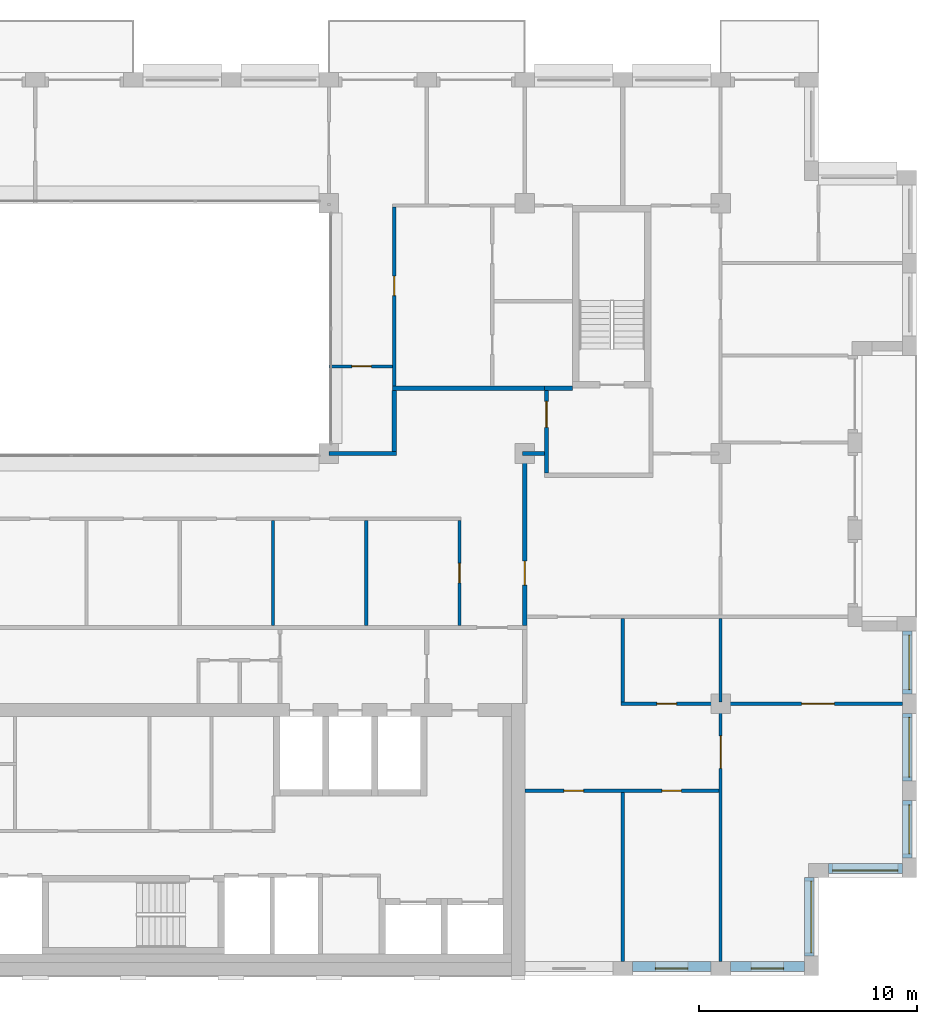
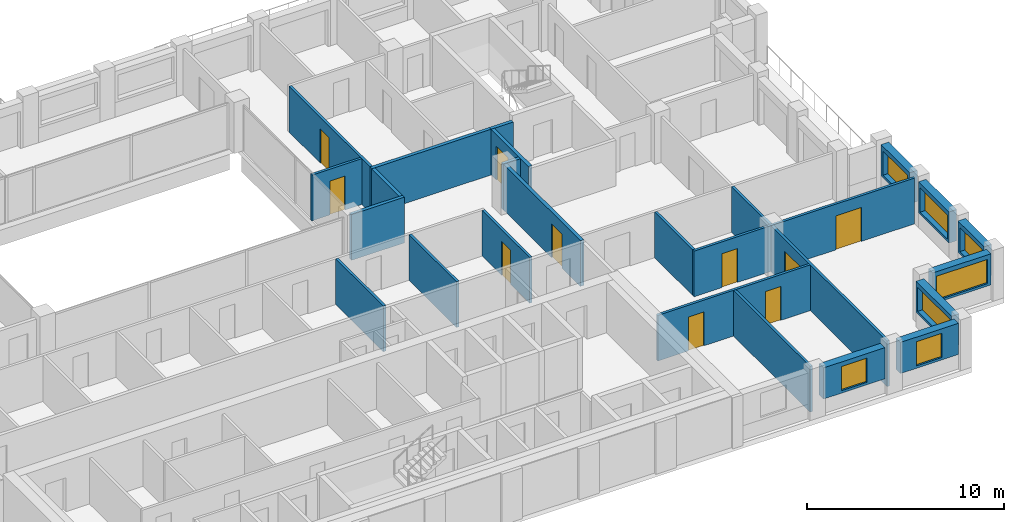
# One storey, part 11 of 15: 25 walls, 10 doors, 7 windows, 17 openings.
"""IFC4 building model written with IfcOpenShell, lengths in metres."""

import ifcopenshell
import ifcopenshell.guid

model = None  # the IFC model being written
_history = None  # IfcOwnerHistory: only IFC2X3 demands one
_inside = {}  # id of a spatial element -> (the spatial element, [elements in it])
_under = {}  # id of a project, library or spatial element -> (it, [spatial elements below it])
_declared = {}  # id of a project -> (the project, [libraries it declares])
_typed = {}  # id of a type object -> (the type object, [elements of that type])
_made_of = {}  # id of a material, layer set ... -> (it, [elements and type objects made of it])


def new_model(schema):
    """Start an empty IFC model of exactly this schema.

    Asked for "IFC4X3", IfcOpenShell would pick the latest addendum, in which some entities
    have other attributes; the version numbers below select the first issue.
    IFC2X3 requires an IfcOwnerHistory on every rooted entity: one is made here for all.
    """
    global model, _history
    if schema == "IFC4X3":
        model = ifcopenshell.file(schema_version=(4, 3, 0, 0))
    else:
        model = ifcopenshell.file(schema=schema)
    _inside.clear()
    _under.clear()
    _declared.clear()
    _typed.clear()
    _made_of.clear()
    _history = None
    if model.schema == "IFC2X3":
        org = make("IfcOrganization", Name="unknown")
        user = make(
            "IfcPersonAndOrganization",
            ThePerson=make("IfcPerson", FamilyName="unknown"),
            TheOrganization=org,
        )
        app = make(
            "IfcApplication",
            ApplicationDeveloper=org,
            Version="unknown",
            ApplicationFullName="unknown",
            ApplicationIdentifier="unknown",
        )
        _history = make(
            "IfcOwnerHistory",
            OwningUser=user,
            OwningApplication=app,
            ChangeAction="ADDED",
            CreationDate=0,
        )
    return model


def make(cls, **values):
    """One entity of the class cls with the attributes given. An attribute that is None is left unset."""
    return model.create_entity(
        cls, **{name: value for name, value in values.items() if value is not None}
    )


def rooted(cls, **values):
    """An entity with a GlobalId (a new one), such as an element, a storey or a relation."""
    return make(cls, GlobalId=ifcopenshell.guid.new(), OwnerHistory=_history, **values)


def si_unit(unit_type, name, prefix=None):
    """IfcSIUnit, for example si_unit("LENGTHUNIT", "METRE", prefix="MILLI")."""
    return make("IfcSIUnit", UnitType=unit_type, Prefix=prefix, Name=name)


def assignment(units):
    """IfcUnitAssignment: the units of a project."""
    return None if units is None else make("IfcUnitAssignment", Units=units)


def point(xyz):
    """IfcCartesianPoint."""
    return None if xyz is None else make("IfcCartesianPoint", Coordinates=xyz)


def direction(xyz):
    """IfcDirection."""
    return None if xyz is None else make("IfcDirection", DirectionRatios=xyz)


def frame(location, z_axis=None, x_axis=None):
    """IfcAxis2Placement3D, a coordinate frame: its origin and axes. An axis left out is left unset."""
    return make(
        "IfcAxis2Placement3D",
        Location=point(location),
        Axis=direction(z_axis),
        RefDirection=direction(x_axis),
    )


def frame_2d(location, x_axis=None):
    """IfcAxis2Placement2D, a coordinate frame in the plane: its origin and x axis."""
    return make(
        "IfcAxis2Placement2D", Location=point(location), RefDirection=direction(x_axis)
    )


def origin():
    """The frame at (0, 0, 0) with its axes left unset."""
    return frame((0.0, 0.0, 0.0))


def place(relative_to, where):
    """IfcLocalPlacement: puts the frame where relative to a parent placement (None: the world)."""
    return make(
        "IfcLocalPlacement", PlacementRelTo=relative_to, RelativePlacement=where
    )


def context(
    kind, dimensions, precision=None, world=None, true_north=None, identifier=None
):
    """IfcGeometricRepresentationContext, for example the 3D "Model" context."""
    return make(
        "IfcGeometricRepresentationContext",
        ContextIdentifier=identifier,
        ContextType=kind,
        CoordinateSpaceDimension=dimensions,
        Precision=precision,
        WorldCoordinateSystem=world,
        TrueNorth=true_north,
    )


def subcontext(parent, identifier, kind, view, scale=None):
    """IfcGeometricRepresentationSubContext, for example "Body" below "Model"."""
    return make(
        "IfcGeometricRepresentationSubContext",
        ContextIdentifier=identifier,
        ContextType=kind,
        ParentContext=parent,
        TargetScale=scale,
        TargetView=view,
    )


def project(units=None, contexts=None):
    """IfcProject with its units and contexts."""
    return rooted(
        "IfcProject",
        Name="project",
        RepresentationContexts=contexts,
        UnitsInContext=assignment(units),
    )


def spatial(cls, under=None, at=None, **own):
    """A site, building, storey or space (cls), placed at a placement, below another one or the project."""
    s = rooted(cls, ObjectPlacement=at, **own)
    if under is not None:
        _under.setdefault(under.id(), (under, []))[1].append(s)
    return s


def profile(cls, at=None, kind="AREA", **sizes):
    """A parametric profile (cls). Its sizes go by their IFC names, for example OverallWidth=200.0."""
    return make(cls, ProfileType=kind, Position=at, **sizes)


def rectangle(**sizes):
    """IfcRectangleProfileDef."""
    return profile("IfcRectangleProfileDef", **sizes)


def extrude(swept, where, along, depth):
    """IfcExtrudedAreaSolid: the profile swept, set in the frame where, extruded along a direction by depth."""
    return make(
        "IfcExtrudedAreaSolid",
        SweptArea=swept,
        Position=where,
        ExtrudedDirection=direction(along),
        Depth=depth,
    )


def shape(context_of_items, identifier, shape_type, items):
    """IfcShapeRepresentation: the items that make up one representation, for example the "Body"."""
    return make(
        "IfcShapeRepresentation",
        ContextOfItems=context_of_items,
        RepresentationIdentifier=identifier,
        RepresentationType=shape_type,
        Items=items,
    )


def material(Name=None, Category=None):
    """IfcMaterial."""
    return make("IfcMaterial", Name=Name, Category=Category)


def layer(
    of_material, thickness, ventilated=None, Name=None, Category=None, Priority=None
):
    """IfcMaterialLayer: one layer of a wall or slab, of a material (None: an air gap)."""
    return make(
        "IfcMaterialLayer",
        Material=of_material,
        LayerThickness=thickness,
        IsVentilated=ventilated,
        Name=Name,
        Category=Category,
        Priority=Priority,
    )


def layer_set(layers, Name=None):
    """IfcMaterialLayerSet."""
    return make("IfcMaterialLayerSet", MaterialLayers=layers, LayerSetName=Name)


def made_of(thing, what):
    """Note that an element or type object is made of a material, layer set ...; save() writes the relation."""
    if what is not None:
        _made_of.setdefault(what.id(), (what, []))[1].append(thing)
    return thing


def type_object(cls, material=None, **own):
    """A type object (cls), such as IfcWallType, which elements share."""
    return made_of(rooted(cls, **own), material)


def element(
    cls,
    number,
    at=None,
    inside=None,
    cuts=None,
    type_object=None,
    material=None,
    context=None,
    identifier="Body",
    shape_type=None,
    held_by="IfcProductDefinitionShape",
    body=None,
    shapes=None,
    **own,
):
    """One element of the class cls, such as IfcWall. Its Tag is "e" and its number.

    at: its placement. inside: the storey or other place that contains it. cuts: it is an
    opening in that element (IfcRelVoidsElement). A single representation is given by context,
    identifier, shape_type and body (its items); several are given by shapes. held_by: the class
    of the entity that holds the representations. save() writes the other relations.
    """
    e = rooted(cls, Tag="e%d" % number, ObjectPlacement=at, **own)
    if body is not None:
        shapes = [shape(context, identifier, shape_type, body)]
    if shapes is not None:
        e.Representation = make(held_by, Representations=shapes)
    if inside is not None:
        _inside.setdefault(inside.id(), (inside, []))[1].append(e)
    if cuts is not None:
        rooted(
            "IfcRelVoidsElement", RelatingBuildingElement=cuts, RelatedOpeningElement=e
        )
    if type_object is not None:
        _typed.setdefault(type_object.id(), (type_object, []))[1].append(e)
    return made_of(e, material)


def fill(opening, filler):
    """IfcRelFillsElement: the door or window that sits in an opening."""
    return rooted(
        "IfcRelFillsElement",
        RelatingOpeningElement=opening,
        RelatedBuildingElement=filler,
    )


def aggregate(whole, parts):
    """IfcRelAggregates: a whole, such as a stair, and the parts it consists of."""
    return rooted("IfcRelAggregates", RelatingObject=whole, RelatedObjects=parts)


def save(model, path):
    """Write the relations noted so far, then the file.

    IfcRelAggregates (storeys below a building ...), IfcRelContainedInSpatialStructure (elements
    in a storey), IfcRelDefinesByType, IfcRelAssociatesMaterial and IfcRelDeclares: one each for
    every whole, place, type object, material and project.
    """
    for whole, parts in _under.values():
        aggregate(whole, parts)
    for where, things in _inside.values():
        rooted(
            "IfcRelContainedInSpatialStructure",
            RelatedElements=things,
            RelatingStructure=where,
        )
    for kind, things in _typed.values():
        rooted("IfcRelDefinesByType", RelatedObjects=things, RelatingType=kind)
    for what, things in _made_of.values():
        rooted("IfcRelAssociatesMaterial", RelatedObjects=things, RelatingMaterial=what)
    for by, libraries in _declared.values():
        rooted("IfcRelDeclares", RelatingContext=by, RelatedDefinitions=libraries)
    model.write(path)


model = new_model("IFC4")

# Units and contexts
model_context = context("Model", 3, precision=1e-05, world=origin(), true_north=direction((0.0, 1.0)))
body_context = subcontext(model_context, "Body", "Model", "MODEL_VIEW")
ifc_project = project(units=[si_unit("LENGTHUNIT", "METRE"), si_unit("AREAUNIT", "SQUARE_METRE"), si_unit("VOLUMEUNIT", "CUBIC_METRE"), si_unit("PLANEANGLEUNIT", "RADIAN"), si_unit("MASSUNIT", "GRAM", prefix="KILO")], contexts=[model_context])

# Site, building, storey
site_placement = place(None, origin())
site = spatial("IfcSite", under=ifc_project, at=site_placement, CompositionType="ELEMENT")
building_placement = place(site_placement, origin())
building = spatial("IfcBuilding", under=site, at=building_placement, Name="Brigalow Station Residences", CompositionType="ELEMENT")
storey_placement = place(building_placement, frame((0.0, 0.0, 216.89990234375)))
storey = spatial("IfcBuildingStorey", under=building, at=storey_placement, Name="L62", CompositionType="ELEMENT", Elevation=216.89990234375)

# Wall, opening, window
ifc_material_1 = material(Name="Clay brick masonry", Category="masonry")
ifc_layer_1 = layer(ifc_material_1, 0.449951171875)
ifc_layer_set_1 = layer_set([ifc_layer_1], Name="BRICK INFILL WALL 450")
wall_type_1 = type_object("IfcWallType", Name="BRICK INFILL WALL 450", PredefinedType="SOLIDWALL", material=ifc_layer_set_1)
wall_1_placement = place(storey_placement, frame((58.949951171875, 0.425048828125, 0.900146484375), z_axis=(0.0, 0.0, 1.0), x_axis=(1.0, 0.0, 0.0)))
wall_1 = element("IfcWall", 1, at=wall_1_placement, inside=storey, type_object=wall_type_1, Name="L62/ewall/W-L62-4", PredefinedType="SOLIDWALL", context=body_context, shape_type="SweptSolid", body=[
    extrude(rectangle(XDim=3.60009765625, YDim=0.449951171875, at=frame_2d((1.800048828125, 0.0))), origin(), (0.0, 0.0, 1.0), 1.929931640625),
])
opening_1_placement = place(wall_1_placement, frame((1.050048828125, 0.0, 0.14990234375)))
opening_1 = element("IfcOpeningElement", 2, at=opening_1_placement, cuts=wall_1, Name="Opening WT-1", PredefinedType="OPENING", context=body_context, shape_type="SweptSolid", body=[
    extrude(rectangle(XDim=1.5, YDim=1.5, at=frame_2d((0.75, 0.75))), frame((0.0, 0.23486328125, 0.0), z_axis=(0.0, -1.0, 0.0), x_axis=(1.0, 0.0, 0.0)), (0.0, 0.0, 1.0), 0.469970703125),
])
ifc_material_2 = material(Name="Anodised aluminium frame with double glazing", Category="aluminium")
window_type_1 = type_object("IfcWindowType", Name="WINDOW 1500x1500", PartitioningType="SINGLE_PANEL", PredefinedType="WINDOW", material=ifc_material_2)
window_1_placement = place(opening_1_placement, origin())
window_1 = element("IfcWindow", 3, at=window_1_placement, inside=storey, type_object=window_type_1, Name="L62/window/W-L62-4", OverallHeight=1.5, OverallWidth=1.5, PartitioningType="SINGLE_PANEL", PredefinedType="WINDOW", context=body_context, shape_type="SweptSolid", body=[
    extrude(rectangle(XDim=1.5, YDim=1.5, at=frame_2d((0.75, 0.75))), frame((0.0, -0.06494140625, 0.0), z_axis=(0.0, -1.0, 0.0), x_axis=(1.0, 0.0, 0.0)), (0.0, 0.0, 1.0), 0.06005859375),
])
fill(opening_1, window_1)

wall_2_placement = place(storey_placement, frame((63.449951171875, 0.425048828125, 0.900146484375), z_axis=(0.0, 0.0, 1.0), x_axis=(1.0, 0.0, 0.0)))
wall_2 = element("IfcWall", 4, at=wall_2_placement, inside=storey, type_object=wall_type_1, Name="L62/ewall/W-L62-5", PredefinedType="SOLIDWALL", context=body_context, shape_type="SweptSolid", body=[
    extrude(rectangle(XDim=3.400146484375, YDim=0.449951171875, at=frame_2d((1.7001953125, 0.0))), origin(), (0.0, 0.0, 1.0), 1.929931640625),
])
opening_2_placement = place(wall_2_placement, frame((0.949951171875, 0.0, 0.14990234375)))
opening_2 = element("IfcOpeningElement", 5, at=opening_2_placement, cuts=wall_2, Name="Opening WT-1", PredefinedType="OPENING", context=body_context, shape_type="SweptSolid", body=[
    extrude(rectangle(XDim=1.5, YDim=1.5, at=frame_2d((0.75, 0.75))), frame((0.0, 0.23486328125, 0.0), z_axis=(0.0, -1.0, 0.0), x_axis=(1.0, 0.0, 0.0)), (0.0, 0.0, 1.0), 0.469970703125),
])
window_2_placement = place(opening_2_placement, origin())
window_2 = element("IfcWindow", 6, at=window_2_placement, inside=storey, type_object=window_type_1, Name="L62/window/W-L62-5", OverallHeight=1.5, OverallWidth=1.5, PartitioningType="SINGLE_PANEL", PredefinedType="WINDOW", context=body_context, shape_type="SweptSolid", body=[
    extrude(rectangle(XDim=1.5, YDim=1.5, at=frame_2d((0.75, 0.75))), frame((0.0, -0.06494140625, 0.0), z_axis=(0.0, -1.0, 0.0), x_axis=(1.0, 0.0, 0.0)), (0.0, 0.0, 1.0), 0.06005859375),
])
fill(opening_2, window_2)

wall_3_placement = place(storey_placement, frame((67.074951171875, 0.89990234375, 0.900146484375), z_axis=(0.0, 0.0, 1.0), x_axis=(0.0, 1.0, 0.0)))
wall_3 = element("IfcWall", 7, at=wall_3_placement, inside=storey, type_object=wall_type_1, Name="L62/ewall/W-L62-6", PredefinedType="SOLIDWALL", context=body_context, shape_type="SweptSolid", body=[
    extrude(rectangle(XDim=3.60009765625, YDim=0.449951171875, at=frame_2d((1.800048828125, 0.0))), origin(), (0.0, 0.0, 1.0), 1.929931640625),
])
opening_3_placement = place(wall_3_placement, frame((0.14990234375, 0.0, 0.14990234375)))
opening_3 = element("IfcOpeningElement", 8, at=opening_3_placement, cuts=wall_3, Name="Opening WT-10", PredefinedType="OPENING", context=body_context, shape_type="SweptSolid", body=[
    extrude(rectangle(XDim=3.300048828125, YDim=1.5, at=frame_2d((1.64990234375, 0.75))), frame((0.0, 0.23486328125, 0.0), z_axis=(0.0, -1.0, 0.0), x_axis=(1.0, 0.0, 0.0)), (0.0, 0.0, 1.0), 0.469970703125),
])
ifc_material_3 = material(Name="Anodised aluminium frame with double glazing", Category="aluminium")
window_type_2 = type_object("IfcWindowType", Name="WINDOW 3300x1500", PartitioningType="SINGLE_PANEL", PredefinedType="WINDOW", material=ifc_material_3)
window_3_placement = place(opening_3_placement, origin())
window_3 = element("IfcWindow", 9, at=window_3_placement, inside=storey, type_object=window_type_2, Name="L62/window/W-L62-6", OverallHeight=1.5, OverallWidth=3.300048828125, PartitioningType="SINGLE_PANEL", PredefinedType="WINDOW", context=body_context, shape_type="SweptSolid", body=[
    extrude(rectangle(XDim=3.300048828125, YDim=1.5, at=frame_2d((1.64990234375, 0.75))), frame((0.0, -0.06494140625, 0.0), z_axis=(0.0, -1.0, 0.0), x_axis=(1.0, 0.0, 0.0)), (0.0, 0.0, 1.0), 0.06005859375),
])
fill(opening_3, window_3)

wall_4_placement = place(storey_placement, frame((67.949951171875, 4.925048828125, 0.900146484375), z_axis=(0.0, 0.0, 1.0), x_axis=(1.0, 0.0, 0.0)))
wall_4 = element("IfcWall", 10, at=wall_4_placement, inside=storey, type_object=wall_type_1, Name="L62/ewall/W-L62-7", PredefinedType="SOLIDWALL", context=body_context, shape_type="SweptSolid", body=[
    extrude(rectangle(XDim=3.400146484375, YDim=0.449951171875, at=frame_2d((1.7001953125, 0.0))), origin(), (0.0, 0.0, 1.0), 1.929931640625),
])
opening_4_placement = place(wall_4_placement, frame((0.199951171875, 0.0, 0.14990234375)))
opening_4 = element("IfcOpeningElement", 11, at=opening_4_placement, cuts=wall_4, Name="Opening WT-2", PredefinedType="OPENING", context=body_context, shape_type="SweptSolid", body=[
    extrude(rectangle(XDim=3.0, YDim=1.5, at=frame_2d((1.5, 0.75))), frame((0.0, 0.23486328125, 0.0), z_axis=(0.0, -1.0, 0.0), x_axis=(1.0, 0.0, 0.0)), (0.0, 0.0, 1.0), 0.469970703125),
])
ifc_material_4 = material(Name="Anodised aluminium frame with double glazing", Category="aluminium")
window_type_3 = type_object("IfcWindowType", Name="WINDOW 3000x1500", PartitioningType="SINGLE_PANEL", PredefinedType="WINDOW", material=ifc_material_4)
window_4_placement = place(opening_4_placement, origin())
window_4 = element("IfcWindow", 12, at=window_4_placement, inside=storey, type_object=window_type_3, Name="L62/window/W-L62-7", OverallHeight=1.5, OverallWidth=3.0, PartitioningType="SINGLE_PANEL", PredefinedType="WINDOW", context=body_context, shape_type="SweptSolid", body=[
    extrude(rectangle(XDim=3.0, YDim=1.5, at=frame_2d((1.5, 0.75))), frame((0.0, -0.06494140625, 0.0), z_axis=(0.0, -1.0, 0.0), x_axis=(1.0, 0.0, 0.0)), (0.0, 0.0, 1.0), 0.06005859375),
])
fill(opening_4, window_4)

wall_5_placement = place(storey_placement, frame((71.574951171875, 5.39990234375, 0.900146484375), z_axis=(0.0, 0.0, 1.0), x_axis=(0.0, 1.0, 0.0)))
wall_5 = element("IfcWall", 13, at=wall_5_placement, inside=storey, type_object=wall_type_1, Name="L62/ewall/W-L62-8", PredefinedType="SOLIDWALL", context=body_context, shape_type="SweptSolid", body=[
    extrude(rectangle(XDim=2.650146484375, YDim=0.449951171875, at=frame_2d((1.3251953125, 0.0))), origin(), (0.0, 0.0, 1.0), 1.929931640625),
])
opening_5_placement = place(wall_5_placement, frame((0.199951171875, 0.0, 0.14990234375)))
opening_5 = element("IfcOpeningElement", 14, at=opening_5_placement, cuts=wall_5, Name="Opening WT-6", PredefinedType="OPENING", context=body_context, shape_type="SweptSolid", body=[
    extrude(rectangle(XDim=2.25, YDim=1.5, at=frame_2d((1.125, 0.75))), frame((0.0, 0.23486328125, 0.0), z_axis=(0.0, -1.0, 0.0), x_axis=(1.0, 0.0, 0.0)), (0.0, 0.0, 1.0), 0.469970703125),
])
ifc_material_5 = material(Name="Anodised aluminium frame with double glazing", Category="aluminium")
window_type_4 = type_object("IfcWindowType", Name="WINDOW 2250x1500", PartitioningType="SINGLE_PANEL", PredefinedType="WINDOW", material=ifc_material_5)
window_5_placement = place(opening_5_placement, origin())
window_5 = element("IfcWindow", 15, at=window_5_placement, inside=storey, type_object=window_type_4, Name="L62/window/W-L62-8", OverallHeight=1.5, OverallWidth=2.25, PartitioningType="SINGLE_PANEL", PredefinedType="WINDOW", context=body_context, shape_type="SweptSolid", body=[
    extrude(rectangle(XDim=2.25, YDim=1.5, at=frame_2d((1.125, 0.75))), frame((0.0, -0.06494140625, 0.0), z_axis=(0.0, -1.0, 0.0), x_axis=(1.0, 0.0, 0.0)), (0.0, 0.0, 1.0), 0.06005859375),
])
fill(opening_5, window_5)

wall_6_placement = place(storey_placement, frame((71.574951171875, 8.949951171875, 0.900146484375), z_axis=(0.0, 0.0, 1.0), x_axis=(0.0, 1.0, 0.0)))
wall_6 = element("IfcWall", 16, at=wall_6_placement, inside=storey, type_object=wall_type_1, Name="L62/ewall/W-L62-9", PredefinedType="SOLIDWALL", context=body_context, shape_type="SweptSolid", body=[
    extrude(rectangle(XDim=3.10009765625, YDim=0.449951171875, at=frame_2d((1.550048828125, 0.0))), origin(), (0.0, 0.0, 1.0), 1.929931640625),
])
opening_6_placement = place(wall_6_placement, frame((0.175048828125, 0.0, 0.14990234375)))
opening_6 = element("IfcOpeningElement", 17, at=opening_6_placement, cuts=wall_6, Name="Opening WT-3", PredefinedType="OPENING", context=body_context, shape_type="SweptSolid", body=[
    extrude(rectangle(XDim=2.75, YDim=1.5, at=frame_2d((1.375, 0.75))), frame((0.0, 0.23486328125, 0.0), z_axis=(0.0, -1.0, 0.0), x_axis=(1.0, 0.0, 0.0)), (0.0, 0.0, 1.0), 0.469970703125),
])
ifc_material_6 = material(Name="Anodised aluminium frame with double glazing", Category="aluminium")
window_type_5 = type_object("IfcWindowType", Name="WINDOW 2750x1500", PartitioningType="SINGLE_PANEL", PredefinedType="WINDOW", material=ifc_material_6)
window_6_placement = place(opening_6_placement, origin())
window_6 = element("IfcWindow", 18, at=window_6_placement, inside=storey, type_object=window_type_5, Name="L62/window/W-L62-9", OverallHeight=1.5, OverallWidth=2.75, PartitioningType="SINGLE_PANEL", PredefinedType="WINDOW", context=body_context, shape_type="SweptSolid", body=[
    extrude(rectangle(XDim=2.75, YDim=1.5, at=frame_2d((1.375, 0.75))), frame((0.0, -0.06494140625, 0.0), z_axis=(0.0, -1.0, 0.0), x_axis=(1.0, 0.0, 0.0)), (0.0, 0.0, 1.0), 0.06005859375),
])
fill(opening_6, window_6)

wall_7_placement = place(storey_placement, frame((71.574951171875, 12.949951171875, 0.900146484375), z_axis=(0.0, 0.0, 1.0), x_axis=(0.0, 1.0, 0.0)))
wall_7 = element("IfcWall", 19, at=wall_7_placement, inside=storey, type_object=wall_type_1, Name="L62/ewall/W-L62-10", PredefinedType="SOLIDWALL", context=body_context, shape_type="SweptSolid", body=[
    extrude(rectangle(XDim=2.900146484375, YDim=0.449951171875, at=frame_2d((1.4501953125, 0.0))), origin(), (0.0, 0.0, 1.0), 1.929931640625),
])
opening_7_placement = place(wall_7_placement, frame((0.199951171875, 0.0, 0.14990234375)))
opening_7 = element("IfcOpeningElement", 20, at=opening_7_placement, cuts=wall_7, Name="Opening WT-5", PredefinedType="OPENING", context=body_context, shape_type="SweptSolid", body=[
    extrude(rectangle(XDim=2.5, YDim=1.5, at=frame_2d((1.25, 0.75))), frame((0.0, 0.23486328125, 0.0), z_axis=(0.0, -1.0, 0.0), x_axis=(1.0, 0.0, 0.0)), (0.0, 0.0, 1.0), 0.469970703125),
])
ifc_material_7 = material(Name="Anodised aluminium frame with double glazing", Category="aluminium")
window_type_6 = type_object("IfcWindowType", Name="WINDOW 2500x1500", PartitioningType="SINGLE_PANEL", PredefinedType="WINDOW", material=ifc_material_7)
window_7_placement = place(opening_7_placement, origin())
window_7 = element("IfcWindow", 21, at=window_7_placement, inside=storey, type_object=window_type_6, Name="L62/window/W-L62-10", OverallHeight=1.5, OverallWidth=2.5, PartitioningType="SINGLE_PANEL", PredefinedType="WINDOW", context=body_context, shape_type="SweptSolid", body=[
    extrude(rectangle(XDim=2.5, YDim=1.5, at=frame_2d((1.25, 0.75))), frame((0.0, -0.06494140625, 0.0), z_axis=(0.0, -1.0, 0.0), x_axis=(1.0, 0.0, 0.0)), (0.0, 0.0, 1.0), 0.06005859375),
])
fill(opening_7, window_7)

# Wall
ifc_material_8 = material(Name="Concrete blockwork", Category="masonry")
ifc_layer_2 = layer(ifc_material_8, 0.199951171875)
ifc_layer_set_2 = layer_set([ifc_layer_2], Name="FIRE RATED CORE PARTITION 200")
wall_type_2 = type_object("IfcWallType", Name="FIRE RATED CORE PARTITION 200", PredefinedType="PARTITIONING", material=ifc_layer_set_2)
wall_8_placement = place(storey_placement, frame((54.89990234375, 27.0, 0.0), z_axis=(0.0, 0.0, 1.0), x_axis=(1.0, 0.0, 0.0)))
element("IfcWall", 22, at=wall_8_placement, inside=storey, type_object=wall_type_2, Name="PW-5026", PredefinedType="PARTITIONING", context=body_context, shape_type="SweptSolid", body=[
    extrude(rectangle(XDim=1.300048828125, YDim=0.199951171875, at=frame_2d((0.64990234375, 0.0))), origin(), (0.0, 0.0, 1.0), 2.830078125),
])

# Wall, opening, door
wall_9_placement = place(storey_placement, frame((55.0, 23.10009765625, 0.0), z_axis=(0.0, 0.0, 1.0), x_axis=(0.0, 1.0, 0.0)))
wall_9 = element("IfcWall", 23, at=wall_9_placement, inside=storey, type_object=wall_type_2, Name="PW-5036", PredefinedType="PARTITIONING", context=body_context, shape_type="SweptSolid", body=[
    extrude(rectangle(XDim=3.7998046875, YDim=0.199951171875, at=frame_2d((1.89990234375, 0.0))), origin(), (0.0, 0.0, 1.0), 2.830078125),
])
opening_8_placement = place(wall_9_placement, frame((2.10009765625, 0.0, 0.0)))
opening_8 = element("IfcOpeningElement", 24, at=opening_8_placement, cuts=wall_9, Name="Opening D-5019", PredefinedType="OPENING", context=body_context, shape_type="SweptSolid", body=[
    extrude(rectangle(XDim=1.199951171875, YDim=2.10009765625, at=frame_2d((0.60009765625, 1.050048828125))), frame((0.0, 0.10986328125, 0.0), z_axis=(0.0, -1.0, 0.0), x_axis=(1.0, 0.0, 0.0)), (0.0, 0.0, 1.0), 0.219970703125),
])
ifc_material_9 = material(Name="Steel fire door leaf in steel frame", Category="steel")
door_type_1 = type_object("IfcDoorType", Name="STAIR LOBBY DOOR 1200 x 2100 FD60S", OperationType="SINGLE_SWING_LEFT", PredefinedType="DOOR", material=ifc_material_9)
door_1_placement = place(opening_8_placement, frame((1.199951171875, 0.0, 0.0), z_axis=(0.0, 0.0, 1.0), x_axis=(-1.0, 0.0, 0.0)))
door_1 = element("IfcDoor", 25, at=door_1_placement, inside=storey, type_object=door_type_1, Name="D-5019", OperationType="SINGLE_SWING_LEFT", OverallHeight=2.10009765625, OverallWidth=1.199951171875, PredefinedType="DOOR", context=body_context, shape_type="SweptSolid", body=[
    extrude(rectangle(XDim=1.199951171875, YDim=2.10009765625, at=frame_2d((0.60009765625, 1.050048828125))), frame((0.0, 0.02490234375, 0.0), z_axis=(0.0, -1.0, 0.0), x_axis=(1.0, 0.0, 0.0)), (0.0, 0.0, 1.0), 0.050048828125),
])
fill(opening_8, door_1)

# Wall, openings, doors
ifc_material_10 = material(Name="Plasterboard on steel stud partition", Category="steel")
ifc_layer_3 = layer(ifc_material_10, 0.14990234375)
ifc_layer_set_3 = layer_set([ifc_layer_3], Name="FLAT PARTITION 150")
wall_type_3 = type_object("IfcWallType", Name="FLAT PARTITION 150", PredefinedType="PARTITIONING", material=ifc_layer_set_3)
wall_10_placement = place(storey_placement, frame((58.425048828125, 12.5, 0.0), z_axis=(0.0, 0.0, 1.0), x_axis=(1.0, 0.0, 0.0)))
wall_10 = element("IfcWall", 26, at=wall_10_placement, inside=storey, type_object=wall_type_3, Name="PW-4C10", PredefinedType="PARTITIONING", context=body_context, shape_type="SweptSolid", body=[
    extrude(rectangle(XDim=12.925048828125, YDim=0.14990234375, at=frame_2d((6.46240234375, 0.0))), origin(), (0.0, 0.0, 1.0), 2.830078125),
])
opening_9_placement = place(wall_10_placement, frame((1.64990234375, 0.0, 0.0)))
opening_9 = element("IfcOpeningElement", 27, at=opening_9_placement, cuts=wall_10, Name="Opening D-4C27", PredefinedType="OPENING", context=body_context, shape_type="SweptSolid", body=[
    extrude(rectangle(XDim=0.89990234375, YDim=2.10009765625, at=frame_2d((0.449951171875, 1.050048828125))), frame((0.0, 0.0849609375, 0.0), z_axis=(0.0, -1.0, 0.0), x_axis=(1.0, 0.0, 0.0)), (0.0, 0.0, 1.0), 0.169921875),
])
opening_10_placement = place(wall_10_placement, frame((8.300048828125, 0.0, 0.0)))
opening_10 = element("IfcOpeningElement", 28, at=opening_10_placement, cuts=wall_10, Name="Opening D-4C29", PredefinedType="OPENING", context=body_context, shape_type="SweptSolid", body=[
    extrude(rectangle(XDim=1.5, YDim=2.10009765625, at=frame_2d((0.75, 1.050048828125))), frame((0.0, 0.0849609375, 0.0), z_axis=(0.0, -1.0, 0.0), x_axis=(1.0, 0.0, 0.0)), (0.0, 0.0, 1.0), 0.169921875),
])
ifc_material_11 = material(Name="Solid-core timber door leaf", Category="wood")
door_type_2 = type_object("IfcDoorType", Name="INTERNAL DOOR 900 x 2100", OperationType="SINGLE_SWING_LEFT", PredefinedType="DOOR", material=ifc_material_11)
door_2_placement = place(opening_9_placement, origin())
door_2 = element("IfcDoor", 29, at=door_2_placement, inside=storey, type_object=door_type_2, Name="D-4C27", OperationType="SINGLE_SWING_LEFT", OverallHeight=2.10009765625, OverallWidth=0.89990234375, PredefinedType="DOOR", context=body_context, shape_type="SweptSolid", body=[
    extrude(rectangle(XDim=0.89990234375, YDim=2.10009765625, at=frame_2d((0.449951171875, 1.050048828125))), frame((0.0, 0.02490234375, 0.0), z_axis=(0.0, -1.0, 0.0), x_axis=(1.0, 0.0, 0.0)), (0.0, 0.0, 1.0), 0.050048828125),
])
fill(opening_9, door_2)
ifc_material_12 = material(Name="Solid-core timber door leaf", Category="wood")
door_type_3 = type_object("IfcDoorType", Name="INTERNAL DOUBLE DOOR 1500 x 2100", OperationType="DOUBLE_DOOR_SINGLE_SWING", PredefinedType="DOOR", material=ifc_material_12)
door_3_placement = place(opening_10_placement, origin())
door_3 = element("IfcDoor", 30, at=door_3_placement, inside=storey, type_object=door_type_3, Name="D-4C29", OperationType="DOUBLE_DOOR_SINGLE_SWING", OverallHeight=2.10009765625, OverallWidth=1.5, PredefinedType="DOOR", context=body_context, shape_type="SweptSolid", body=[
    extrude(rectangle(XDim=1.5, YDim=2.10009765625, at=frame_2d((0.75, 1.050048828125))), frame((0.0, 0.02490234375, 0.0), z_axis=(0.0, -1.0, 0.0), x_axis=(1.0, 0.0, 0.0)), (0.0, 0.0, 1.0), 0.050048828125),
])
fill(opening_10, door_3)

# Wall, opening, door
wall_11_placement = place(storey_placement, frame((45.0, 28.0, 0.0), z_axis=(0.0, 0.0, 1.0), x_axis=(1.0, 0.0, 0.0)))
wall_11 = element("IfcWall", 31, at=wall_11_placement, inside=storey, type_object=wall_type_3, Name="PW-4C21", PredefinedType="PARTITIONING", context=body_context, shape_type="SweptSolid", body=[
    extrude(rectangle(XDim=2.925048828125, YDim=0.14990234375, at=frame_2d((1.46240234375, 0.0))), origin(), (0.0, 0.0, 1.0), 2.830078125),
])
opening_11_placement = place(wall_11_placement, frame((1.050048828125, 0.0, 0.0)))
opening_11 = element("IfcOpeningElement", 32, at=opening_11_placement, cuts=wall_11, Name="Opening D-4C17", PredefinedType="OPENING", context=body_context, shape_type="SweptSolid", body=[
    extrude(rectangle(XDim=0.89990234375, YDim=2.10009765625, at=frame_2d((0.449951171875, 1.050048828125))), frame((0.0, 0.0849609375, 0.0), z_axis=(0.0, -1.0, 0.0), x_axis=(1.0, 0.0, 0.0)), (0.0, 0.0, 1.0), 0.169921875),
])
door_4_placement = place(opening_11_placement, frame((0.89990234375, 0.0, 0.0), z_axis=(0.0, 0.0, 1.0), x_axis=(-1.0, 0.0, 0.0)))
door_4 = element("IfcDoor", 33, at=door_4_placement, inside=storey, type_object=door_type_2, Name="D-4C17", OperationType="SINGLE_SWING_LEFT", OverallHeight=2.10009765625, OverallWidth=0.89990234375, PredefinedType="DOOR", context=body_context, shape_type="SweptSolid", body=[
    extrude(rectangle(XDim=0.89990234375, YDim=2.10009765625, at=frame_2d((0.449951171875, 1.050048828125))), frame((0.0, 0.02490234375, 0.0), z_axis=(0.0, -1.0, 0.0), x_axis=(1.0, 0.0, 0.0)), (0.0, 0.0, 1.0), 0.050048828125),
])
fill(opening_11, door_4)

# Wall, openings, doors
wall_12_placement = place(storey_placement, frame((54.0, 8.5, 0.0), z_axis=(0.0, 0.0, 1.0), x_axis=(1.0, 0.0, 0.0)))
wall_12 = element("IfcWall", 34, at=wall_12_placement, inside=storey, type_object=wall_type_3, Name="PW-4C23", PredefinedType="PARTITIONING", context=body_context, shape_type="SweptSolid", body=[
    extrude(rectangle(XDim=8.925048828125, YDim=0.14990234375, at=frame_2d((4.46240234375, 0.0))), origin(), (0.0, 0.0, 1.0), 2.830078125),
])
opening_12_placement = place(wall_12_placement, frame((1.800048828125, 0.0, 0.0)))
opening_12 = element("IfcOpeningElement", 35, at=opening_12_placement, cuts=wall_12, Name="Opening D-4C25", PredefinedType="OPENING", context=body_context, shape_type="SweptSolid", body=[
    extrude(rectangle(XDim=0.89990234375, YDim=2.10009765625, at=frame_2d((0.449951171875, 1.050048828125))), frame((0.0, 0.0849609375, 0.0), z_axis=(0.0, -1.0, 0.0), x_axis=(1.0, 0.0, 0.0)), (0.0, 0.0, 1.0), 0.169921875),
])
opening_13_placement = place(wall_12_placement, frame((6.300048828125, 0.0, 0.0)))
opening_13 = element("IfcOpeningElement", 36, at=opening_13_placement, cuts=wall_12, Name="Opening D-4C26", PredefinedType="OPENING", context=body_context, shape_type="SweptSolid", body=[
    extrude(rectangle(XDim=0.89990234375, YDim=2.10009765625, at=frame_2d((0.449951171875, 1.050048828125))), frame((0.0, 0.0849609375, 0.0), z_axis=(0.0, -1.0, 0.0), x_axis=(1.0, 0.0, 0.0)), (0.0, 0.0, 1.0), 0.169921875),
])
door_5_placement = place(opening_12_placement, frame((0.89990234375, 0.0, 0.0), z_axis=(0.0, 0.0, 1.0), x_axis=(-1.0, 0.0, 0.0)))
door_5 = element("IfcDoor", 37, at=door_5_placement, inside=storey, type_object=door_type_2, Name="D-4C25", OperationType="SINGLE_SWING_LEFT", OverallHeight=2.10009765625, OverallWidth=0.89990234375, PredefinedType="DOOR", context=body_context, shape_type="SweptSolid", body=[
    extrude(rectangle(XDim=0.89990234375, YDim=2.10009765625, at=frame_2d((0.449951171875, 1.050048828125))), frame((0.0, 0.02490234375, 0.0), z_axis=(0.0, -1.0, 0.0), x_axis=(1.0, 0.0, 0.0)), (0.0, 0.0, 1.0), 0.050048828125),
])
fill(opening_12, door_5)
door_6_placement = place(opening_13_placement, frame((0.89990234375, 0.0, 0.0), z_axis=(0.0, 0.0, 1.0), x_axis=(-1.0, 0.0, 0.0)))
door_6 = element("IfcDoor", 38, at=door_6_placement, inside=storey, type_object=door_type_2, Name="D-4C26", OperationType="SINGLE_SWING_RIGHT", OverallHeight=2.10009765625, OverallWidth=0.89990234375, PredefinedType="DOOR", context=body_context, shape_type="SweptSolid", body=[
    extrude(rectangle(XDim=0.89990234375, YDim=2.10009765625, at=frame_2d((0.449951171875, 1.050048828125))), frame((0.0, 0.02490234375, 0.0), z_axis=(0.0, -1.0, 0.0), x_axis=(1.0, 0.0, 0.0)), (0.0, 0.0, 1.0), 0.050048828125),
])
fill(opening_13, door_6)

# Wall, opening, door
wall_13_placement = place(storey_placement, frame((51.0, 16.10009765625, 0.0), z_axis=(0.0, 0.0, 1.0), x_axis=(0.0, 1.0, 0.0)))
wall_13 = element("IfcWall", 39, at=wall_13_placement, inside=storey, type_object=wall_type_3, Name="PW-4C31", PredefinedType="PARTITIONING", context=body_context, shape_type="SweptSolid", body=[
    extrude(rectangle(XDim=4.824951171875, YDim=0.14990234375, at=frame_2d((2.41259765625, 0.0))), origin(), (0.0, 0.0, 1.0), 2.830078125),
])
opening_14_placement = place(wall_13_placement, frame((1.949951171875, 0.0, 0.0)))
opening_14 = element("IfcOpeningElement", 40, at=opening_14_placement, cuts=wall_13, Name="Opening D-4C43", PredefinedType="OPENING", context=body_context, shape_type="SweptSolid", body=[
    extrude(rectangle(XDim=0.89990234375, YDim=2.10009765625, at=frame_2d((0.449951171875, 1.050048828125))), frame((0.0, 0.0849609375, 0.0), z_axis=(0.0, -1.0, 0.0), x_axis=(1.0, 0.0, 0.0)), (0.0, 0.0, 1.0), 0.169921875),
])
door_7_placement = place(opening_14_placement, origin())
door_7 = element("IfcDoor", 41, at=door_7_placement, inside=storey, type_object=door_type_2, Name="D-4C43", OperationType="SINGLE_SWING_LEFT", OverallHeight=2.10009765625, OverallWidth=0.89990234375, PredefinedType="DOOR", context=body_context, shape_type="SweptSolid", body=[
    extrude(rectangle(XDim=0.89990234375, YDim=2.10009765625, at=frame_2d((0.449951171875, 1.050048828125))), frame((0.0, 0.02490234375, 0.0), z_axis=(0.0, -1.0, 0.0), x_axis=(1.0, 0.0, 0.0)), (0.0, 0.0, 1.0), 0.050048828125),
])
fill(opening_14, door_7)

wall_14_placement = place(storey_placement, frame((48.0, 27.10009765625, 0.0), z_axis=(0.0, 0.0, 1.0), x_axis=(0.0, 1.0, 0.0)))
wall_14 = element("IfcWall", 42, at=wall_14_placement, inside=storey, type_object=wall_type_3, Name="PW-4C34", PredefinedType="PARTITIONING", context=body_context, shape_type="SweptSolid", body=[
    extrude(rectangle(XDim=8.224853515625, YDim=0.14990234375, at=frame_2d((4.1123046875, 0.0))), origin(), (0.0, 0.0, 1.0), 2.830078125),
])
opening_15_placement = place(wall_14_placement, frame((4.14990234375, 0.0, 0.0)))
opening_15 = element("IfcOpeningElement", 43, at=opening_15_placement, cuts=wall_14, Name="Opening D-4C18", PredefinedType="OPENING", context=body_context, shape_type="SweptSolid", body=[
    extrude(rectangle(XDim=0.89990234375, YDim=2.10009765625, at=frame_2d((0.449951171875, 1.050048828125))), frame((0.0, 0.0849609375, 0.0), z_axis=(0.0, -1.0, 0.0), x_axis=(1.0, 0.0, 0.0)), (0.0, 0.0, 1.0), 0.169921875),
])
door_8_placement = place(opening_15_placement, frame((0.89990234375, 0.0, 0.0), z_axis=(0.0, 0.0, 1.0), x_axis=(-1.0, 0.0, 0.0)))
door_8 = element("IfcDoor", 44, at=door_8_placement, inside=storey, type_object=door_type_2, Name="D-4C18", OperationType="SINGLE_SWING_LEFT", OverallHeight=2.10009765625, OverallWidth=0.89990234375, PredefinedType="DOOR", context=body_context, shape_type="SweptSolid", body=[
    extrude(rectangle(XDim=0.89990234375, YDim=2.10009765625, at=frame_2d((0.449951171875, 1.050048828125))), frame((0.0, 0.02490234375, 0.0), z_axis=(0.0, -1.0, 0.0), x_axis=(1.0, 0.0, 0.0)), (0.0, 0.0, 1.0), 0.050048828125),
])
fill(opening_15, door_8)

# Walls
wall_15_placement = place(storey_placement, frame((58.5, 0.64990234375, 0.0), z_axis=(0.0, 0.0, 1.0), x_axis=(0.0, 1.0, 0.0)))
element("IfcWall", 45, at=wall_15_placement, inside=storey, type_object=wall_type_3, Name="PW-4C45", PredefinedType="PARTITIONING", context=body_context, shape_type="SweptSolid", body=[
    extrude(rectangle(XDim=7.775146484375, YDim=0.14990234375, at=frame_2d((3.8876953125, 0.0))), origin(), (0.0, 0.0, 1.0), 2.830078125),
])
wall_16_placement = place(storey_placement, frame((58.5, 12.574951171875, 0.0), z_axis=(0.0, 0.0, 1.0), x_axis=(0.0, 1.0, 0.0)))
element("IfcWall", 46, at=wall_16_placement, inside=storey, type_object=wall_type_3, Name="PW-4C46", PredefinedType="PARTITIONING", context=body_context, shape_type="SweptSolid", body=[
    extrude(rectangle(XDim=3.85009765625, YDim=0.14990234375, at=frame_2d((1.925048828125, 0.0))), origin(), (0.0, 0.0, 1.0), 2.830078125),
])

# Wall, opening, door
wall_17_placement = place(storey_placement, frame((63.0, 0.64990234375, 0.0), z_axis=(0.0, 0.0, 1.0), x_axis=(0.0, 1.0, 0.0)))
wall_17 = element("IfcWall", 47, at=wall_17_placement, inside=storey, type_object=wall_type_3, Name="PW-4C48", PredefinedType="PARTITIONING", context=body_context, shape_type="SweptSolid", body=[
    extrude(rectangle(XDim=11.775146484375, YDim=0.14990234375, at=frame_2d((5.8876953125, 0.0))), origin(), (0.0, 0.0, 1.0), 2.830078125),
])
opening_16_placement = place(wall_17_placement, frame((8.875, 0.0, 0.0)))
opening_16 = element("IfcOpeningElement", 48, at=opening_16_placement, cuts=wall_17, Name="Opening D-4C28", PredefinedType="OPENING", context=body_context, shape_type="SweptSolid", body=[
    extrude(rectangle(XDim=1.5, YDim=2.10009765625, at=frame_2d((0.75, 1.050048828125))), frame((0.0, 0.0849609375, 0.0), z_axis=(0.0, -1.0, 0.0), x_axis=(1.0, 0.0, 0.0)), (0.0, 0.0, 1.0), 0.169921875),
])
door_9_placement = place(opening_16_placement, origin())
door_9 = element("IfcDoor", 49, at=door_9_placement, inside=storey, type_object=door_type_3, Name="D-4C28", OperationType="DOUBLE_DOOR_SINGLE_SWING", OverallHeight=2.10009765625, OverallWidth=1.5, PredefinedType="DOOR", context=body_context, shape_type="SweptSolid", body=[
    extrude(rectangle(XDim=1.5, YDim=2.10009765625, at=frame_2d((0.75, 1.050048828125))), frame((0.0, 0.02490234375, 0.0), z_axis=(0.0, -1.0, 0.0), x_axis=(1.0, 0.0, 0.0)), (0.0, 0.0, 1.0), 0.050048828125),
])
fill(opening_16, door_9)

# Walls
wall_18_placement = place(storey_placement, frame((63.0, 12.574951171875, 0.0), z_axis=(0.0, 0.0, 1.0), x_axis=(0.0, 1.0, 0.0)))
element("IfcWall", 50, at=wall_18_placement, inside=storey, type_object=wall_type_3, Name="PW-4C49", PredefinedType="PARTITIONING", context=body_context, shape_type="SweptSolid", body=[
    extrude(rectangle(XDim=3.85009765625, YDim=0.14990234375, at=frame_2d((1.925048828125, 0.0))), origin(), (0.0, 0.0, 1.0), 2.830078125),
])
for number, where, z_axis, x_axis, name in (
    (51, (42.428955078125, 16.10009765625, 0.0), (0.0, 0.0, 1.0), (0.0, 1.0, 0.0), "PW-4C56"),
    (52, (46.714111328125, 16.10009765625, 0.0), (0.0, 0.0, 1.0), (0.0, 1.0, 0.0), "PW-4C57"),
):
    element("IfcWall", number, at=place(storey_placement, frame(where, z_axis=z_axis, x_axis=x_axis)), inside=storey, type_object=wall_type_3, Name=name, PredefinedType="PARTITIONING", context=body_context, shape_type="SweptSolid", body=[
        extrude(rectangle(XDim=4.824951171875, YDim=0.14990234375, at=frame_2d((2.41259765625, 0.0))), origin(), (0.0, 0.0, 1.0), 2.830078125),
    ])
ifc_material_13 = material(Name="Plasterboard on steel stud partition", Category="steel")
ifc_layer_4 = layer(ifc_material_13, 0.199951171875)
ifc_layer_set_4 = layer_set([ifc_layer_4], Name="PARTY AND CORRIDOR WALL 200")
wall_type_4 = type_object("IfcWallType", Name="PARTY AND CORRIDOR WALL 200", PredefinedType="PARTITIONING", material=ifc_layer_set_4)
wall_19_placement = place(storey_placement, frame((45.0, 24.0, 0.0), z_axis=(0.0, 0.0, 1.0), x_axis=(1.0, 0.0, 0.0)))
element("IfcWall", 53, at=wall_19_placement, inside=storey, type_object=wall_type_4, Name="PW-4C04", PredefinedType="PARTITIONING", context=body_context, shape_type="SweptSolid", body=[
    extrude(rectangle(XDim=3.10009765625, YDim=0.199951171875, at=frame_2d((1.550048828125, 0.0))), origin(), (0.0, 0.0, 1.0), 2.830078125),
])
wall_20_placement = place(storey_placement, frame((53.89990234375, 24.0, 0.0), z_axis=(0.0, 0.0, 1.0), x_axis=(1.0, 0.0, 0.0)))
element("IfcWall", 54, at=wall_20_placement, inside=storey, type_object=wall_type_4, Name="PW-4C05", PredefinedType="PARTITIONING", context=body_context, shape_type="SweptSolid", body=[
    extrude(rectangle(XDim=1.0, YDim=0.199951171875, at=frame_2d((0.5, 0.0))), origin(), (0.0, 0.0, 1.0), 2.830078125),
])
wall_21_placement = place(storey_placement, frame((47.925048828125, 27.0, 0.0), z_axis=(0.0, 0.0, 1.0), x_axis=(1.0, 0.0, 0.0)))
element("IfcWall", 55, at=wall_21_placement, inside=storey, type_object=wall_type_4, Name="PW-4C08", PredefinedType="PARTITIONING", context=body_context, shape_type="SweptSolid", body=[
    extrude(rectangle(XDim=6.974853515625, YDim=0.199951171875, at=frame_2d((3.4873046875, 0.0))), origin(), (0.0, 0.0, 1.0), 2.830078125),
])

# Wall, opening, door
wall_22_placement = place(storey_placement, frame((54.0, 16.10009765625, 0.0), z_axis=(0.0, 0.0, 1.0), x_axis=(0.0, 1.0, 0.0)))
wall_22 = element("IfcWall", 56, at=wall_22_placement, inside=storey, type_object=wall_type_4, Name="PW-4C29", PredefinedType="PARTITIONING", context=body_context, shape_type="SweptSolid", body=[
    extrude(rectangle(XDim=7.7998046875, YDim=0.199951171875, at=frame_2d((3.89990234375, 0.0))), origin(), (0.0, 0.0, 1.0), 2.830078125),
])
opening_17_placement = place(wall_22_placement, frame((1.85009765625, 0.0, 0.0)))
opening_17 = element("IfcOpeningElement", 57, at=opening_17_placement, cuts=wall_22, Name="Opening D-4C23", PredefinedType="OPENING", context=body_context, shape_type="SweptSolid", body=[
    extrude(rectangle(XDim=1.10009765625, YDim=2.10009765625, at=frame_2d((0.550048828125, 1.050048828125))), frame((0.0, 0.10986328125, 0.0), z_axis=(0.0, -1.0, 0.0), x_axis=(1.0, 0.0, 0.0)), (0.0, 0.0, 1.0), 0.219970703125),
])
ifc_material_14 = material(Name="Solid-core timber door leaf", Category="wood")
door_type_4 = type_object("IfcDoorType", Name="FLAT ENTRANCE DOOR 1100 x 2100 FRL -/60/30", OperationType="SINGLE_SWING_LEFT", PredefinedType="DOOR", material=ifc_material_14)
door_10_placement = place(opening_17_placement, frame((1.10009765625, 0.0, 0.0), z_axis=(0.0, 0.0, 1.0), x_axis=(-1.0, 0.0, 0.0)))
door_10 = element("IfcDoor", 58, at=door_10_placement, inside=storey, type_object=door_type_4, Name="D-4C23", OperationType="SINGLE_SWING_RIGHT", OverallHeight=2.10009765625, OverallWidth=1.10009765625, PredefinedType="DOOR", context=body_context, shape_type="SweptSolid", body=[
    extrude(rectangle(XDim=1.10009765625, YDim=2.10009765625, at=frame_2d((0.550048828125, 1.050048828125))), frame((0.0, 0.02490234375, 0.0), z_axis=(0.0, -1.0, 0.0), x_axis=(1.0, 0.0, 0.0)), (0.0, 0.0, 1.0), 0.050048828125),
])
fill(opening_17, door_10)

# Wall
wall_23_placement = place(storey_placement, frame((48.0, 24.10009765625, 0.0), z_axis=(0.0, 0.0, 1.0), x_axis=(0.0, 1.0, 0.0)))
element("IfcWall", 59, at=wall_23_placement, inside=storey, type_object=wall_type_4, Name="PW-4C35", PredefinedType="PARTITIONING", context=body_context, shape_type="SweptSolid", body=[
    extrude(rectangle(XDim=2.7998046875, YDim=0.199951171875, at=frame_2d((1.39990234375, 0.0))), origin(), (0.0, 0.0, 1.0), 2.830078125),
])

save(model, "model.ifc")
